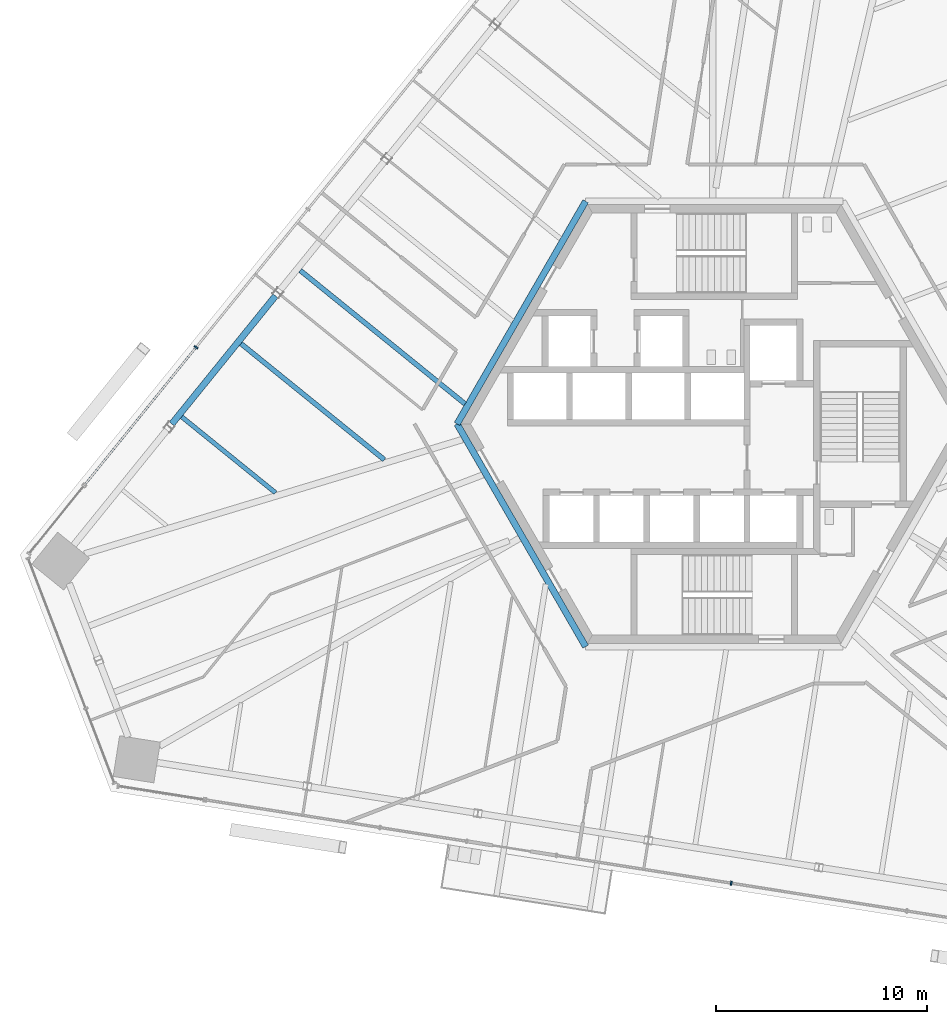
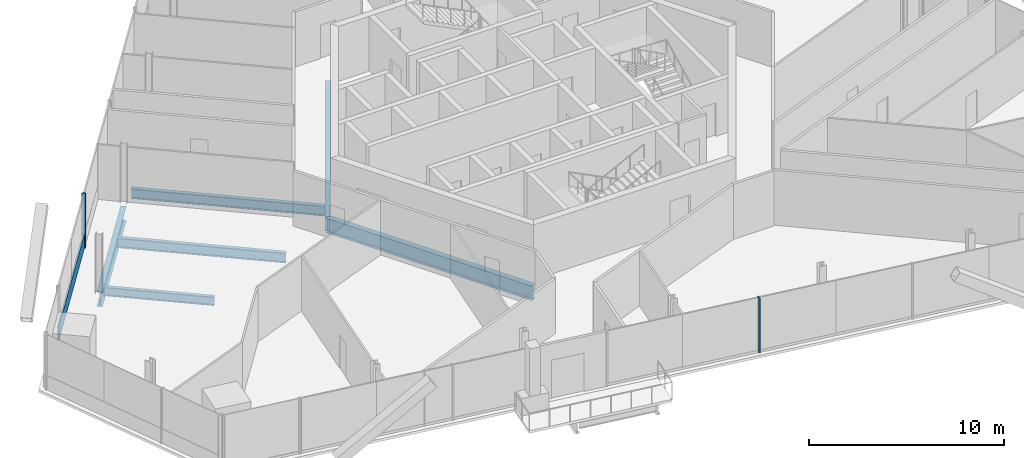
# One storey, part 5 of 19: 6 beams, 3 members, 2 elements without a shape of their own.
"""IFC4 building model written with IfcOpenShell, lengths in metres."""

import ifcopenshell
import ifcopenshell.guid

model = None  # the IFC model being written
_history = None  # IfcOwnerHistory: only IFC2X3 demands one
_inside = {}  # id of a spatial element -> (the spatial element, [elements in it])
_under = {}  # id of a project, library or spatial element -> (it, [spatial elements below it])
_declared = {}  # id of a project -> (the project, [libraries it declares])
_typed = {}  # id of a type object -> (the type object, [elements of that type])
_made_of = {}  # id of a material, layer set ... -> (it, [elements and type objects made of it])


def new_model(schema):
    """Start an empty IFC model of exactly this schema.

    Asked for "IFC4X3", IfcOpenShell would pick the latest addendum, in which some entities
    have other attributes; the version numbers below select the first issue.
    IFC2X3 requires an IfcOwnerHistory on every rooted entity: one is made here for all.
    """
    global model, _history
    if schema == "IFC4X3":
        model = ifcopenshell.file(schema_version=(4, 3, 0, 0))
    else:
        model = ifcopenshell.file(schema=schema)
    _inside.clear()
    _under.clear()
    _declared.clear()
    _typed.clear()
    _made_of.clear()
    _history = None
    if model.schema == "IFC2X3":
        org = make("IfcOrganization", Name="unknown")
        user = make(
            "IfcPersonAndOrganization",
            ThePerson=make("IfcPerson", FamilyName="unknown"),
            TheOrganization=org,
        )
        app = make(
            "IfcApplication",
            ApplicationDeveloper=org,
            Version="unknown",
            ApplicationFullName="unknown",
            ApplicationIdentifier="unknown",
        )
        _history = make(
            "IfcOwnerHistory",
            OwningUser=user,
            OwningApplication=app,
            ChangeAction="ADDED",
            CreationDate=0,
        )
    return model


def make(cls, **values):
    """One entity of the class cls with the attributes given. An attribute that is None is left unset."""
    return model.create_entity(
        cls, **{name: value for name, value in values.items() if value is not None}
    )


def rooted(cls, **values):
    """An entity with a GlobalId (a new one), such as an element, a storey or a relation."""
    return make(cls, GlobalId=ifcopenshell.guid.new(), OwnerHistory=_history, **values)


def si_unit(unit_type, name, prefix=None):
    """IfcSIUnit, for example si_unit("LENGTHUNIT", "METRE", prefix="MILLI")."""
    return make("IfcSIUnit", UnitType=unit_type, Prefix=prefix, Name=name)


def assignment(units):
    """IfcUnitAssignment: the units of a project."""
    return None if units is None else make("IfcUnitAssignment", Units=units)


def point(xyz):
    """IfcCartesianPoint."""
    return None if xyz is None else make("IfcCartesianPoint", Coordinates=xyz)


def direction(xyz):
    """IfcDirection."""
    return None if xyz is None else make("IfcDirection", DirectionRatios=xyz)


def frame(location, z_axis=None, x_axis=None):
    """IfcAxis2Placement3D, a coordinate frame: its origin and axes. An axis left out is left unset."""
    return make(
        "IfcAxis2Placement3D",
        Location=point(location),
        Axis=direction(z_axis),
        RefDirection=direction(x_axis),
    )


def frame_2d(location, x_axis=None):
    """IfcAxis2Placement2D, a coordinate frame in the plane: its origin and x axis."""
    return make(
        "IfcAxis2Placement2D", Location=point(location), RefDirection=direction(x_axis)
    )


def origin():
    """The frame at (0, 0, 0) with its axes left unset."""
    return frame((0.0, 0.0, 0.0))


def origin_2d():
    """The frame at (0, 0) in the plane with its x axis left unset."""
    return frame_2d((0.0, 0.0))


def place(relative_to, where):
    """IfcLocalPlacement: puts the frame where relative to a parent placement (None: the world)."""
    return make(
        "IfcLocalPlacement", PlacementRelTo=relative_to, RelativePlacement=where
    )


def context(
    kind, dimensions, precision=None, world=None, true_north=None, identifier=None
):
    """IfcGeometricRepresentationContext, for example the 3D "Model" context."""
    return make(
        "IfcGeometricRepresentationContext",
        ContextIdentifier=identifier,
        ContextType=kind,
        CoordinateSpaceDimension=dimensions,
        Precision=precision,
        WorldCoordinateSystem=world,
        TrueNorth=true_north,
    )


def subcontext(parent, identifier, kind, view, scale=None):
    """IfcGeometricRepresentationSubContext, for example "Body" below "Model"."""
    return make(
        "IfcGeometricRepresentationSubContext",
        ContextIdentifier=identifier,
        ContextType=kind,
        ParentContext=parent,
        TargetScale=scale,
        TargetView=view,
    )


def project(units=None, contexts=None):
    """IfcProject with its units and contexts."""
    return rooted(
        "IfcProject",
        Name="project",
        RepresentationContexts=contexts,
        UnitsInContext=assignment(units),
    )


def spatial(cls, under=None, at=None, **own):
    """A site, building, storey or space (cls), placed at a placement, below another one or the project."""
    s = rooted(cls, ObjectPlacement=at, **own)
    if under is not None:
        _under.setdefault(under.id(), (under, []))[1].append(s)
    return s


def profile(cls, at=None, kind="AREA", **sizes):
    """A parametric profile (cls). Its sizes go by their IFC names, for example OverallWidth=200.0."""
    return make(cls, ProfileType=kind, Position=at, **sizes)


def rectangle(**sizes):
    """IfcRectangleProfileDef."""
    return profile("IfcRectangleProfileDef", **sizes)


def i_section(**sizes):
    """IfcIShapeProfileDef."""
    return profile("IfcIShapeProfileDef", **sizes)


def extrude(swept, where, along, depth):
    """IfcExtrudedAreaSolid: the profile swept, set in the frame where, extruded along a direction by depth."""
    return make(
        "IfcExtrudedAreaSolid",
        SweptArea=swept,
        Position=where,
        ExtrudedDirection=direction(along),
        Depth=depth,
    )


def shape(context_of_items, identifier, shape_type, items):
    """IfcShapeRepresentation: the items that make up one representation, for example the "Body"."""
    return make(
        "IfcShapeRepresentation",
        ContextOfItems=context_of_items,
        RepresentationIdentifier=identifier,
        RepresentationType=shape_type,
        Items=items,
    )


def source(mapping_origin, context_of_items, identifier, shape_type, items):
    """IfcRepresentationMap: a shape defined once, which mapped items show again and again."""
    return make(
        "IfcRepresentationMap",
        MappingOrigin=mapping_origin,
        MappedRepresentation=shape(context_of_items, identifier, shape_type, items),
    )


def transform(
    local_origin,
    x_axis=None,
    y_axis=None,
    z_axis=None,
    scale=None,
    scale2=None,
    scale3=None,
    uniform=True,
):
    """IfcCartesianTransformationOperator3D, or its non-uniform kind. x_axis, y_axis, z_axis: its Axis1, 2, 3."""
    if uniform:
        return make(
            "IfcCartesianTransformationOperator3D",
            Axis1=direction(x_axis),
            Axis2=direction(y_axis),
            LocalOrigin=point(local_origin),
            Scale=scale,
            Axis3=direction(z_axis),
        )
    return make(
        "IfcCartesianTransformationOperator3DnonUniform",
        Axis1=direction(x_axis),
        Axis2=direction(y_axis),
        LocalOrigin=point(local_origin),
        Scale=scale,
        Axis3=direction(z_axis),
        Scale2=scale2,
        Scale3=scale3,
    )


def mapped(mapping_source, mapping_target):
    """IfcMappedItem: shows the shape of a source again, moved by a transform."""
    return make(
        "IfcMappedItem", MappingSource=mapping_source, MappingTarget=mapping_target
    )


def material(Name=None, Category=None):
    """IfcMaterial."""
    return make("IfcMaterial", Name=Name, Category=Category)


def material_profile(
    of_material, cross_section, Name=None, Category=None, Priority=None
):
    """IfcMaterialProfile: a cross section and its material."""
    return make(
        "IfcMaterialProfile",
        Name=Name,
        Material=of_material,
        Profile=cross_section,
        Priority=Priority,
        Category=Category,
    )


def profile_set(profiles, Name=None, composite=None):
    """IfcMaterialProfileSet."""
    return make(
        "IfcMaterialProfileSet",
        Name=Name,
        MaterialProfiles=profiles,
        CompositeProfile=composite,
    )


def made_of(thing, what):
    """Note that an element or type object is made of a material, layer set ...; save() writes the relation."""
    if what is not None:
        _made_of.setdefault(what.id(), (what, []))[1].append(thing)
    return thing


def type_object(cls, material=None, **own):
    """A type object (cls), such as IfcWallType, which elements share."""
    return made_of(rooted(cls, **own), material)


def element(
    cls,
    number,
    at=None,
    inside=None,
    cuts=None,
    type_object=None,
    material=None,
    context=None,
    identifier="Body",
    shape_type=None,
    held_by="IfcProductDefinitionShape",
    body=None,
    shapes=None,
    **own,
):
    """One element of the class cls, such as IfcWall. Its Tag is "e" and its number.

    at: its placement. inside: the storey or other place that contains it. cuts: it is an
    opening in that element (IfcRelVoidsElement). A single representation is given by context,
    identifier, shape_type and body (its items); several are given by shapes. held_by: the class
    of the entity that holds the representations. save() writes the other relations.
    """
    e = rooted(cls, Tag="e%d" % number, ObjectPlacement=at, **own)
    if body is not None:
        shapes = [shape(context, identifier, shape_type, body)]
    if shapes is not None:
        e.Representation = make(held_by, Representations=shapes)
    if inside is not None:
        _inside.setdefault(inside.id(), (inside, []))[1].append(e)
    if cuts is not None:
        rooted(
            "IfcRelVoidsElement", RelatingBuildingElement=cuts, RelatedOpeningElement=e
        )
    if type_object is not None:
        _typed.setdefault(type_object.id(), (type_object, []))[1].append(e)
    return made_of(e, material)


def aggregate(whole, parts):
    """IfcRelAggregates: a whole, such as a stair, and the parts it consists of."""
    return rooted("IfcRelAggregates", RelatingObject=whole, RelatedObjects=parts)


def save(model, path):
    """Write the relations noted so far, then the file.

    IfcRelAggregates (storeys below a building ...), IfcRelContainedInSpatialStructure (elements
    in a storey), IfcRelDefinesByType, IfcRelAssociatesMaterial and IfcRelDeclares: one each for
    every whole, place, type object, material and project.
    """
    for whole, parts in _under.values():
        aggregate(whole, parts)
    for where, things in _inside.values():
        rooted(
            "IfcRelContainedInSpatialStructure",
            RelatedElements=things,
            RelatingStructure=where,
        )
    for kind, things in _typed.values():
        rooted("IfcRelDefinesByType", RelatedObjects=things, RelatingType=kind)
    for what, things in _made_of.values():
        rooted("IfcRelAssociatesMaterial", RelatedObjects=things, RelatingMaterial=what)
    for by, libraries in _declared.values():
        rooted("IfcRelDeclares", RelatingContext=by, RelatedDefinitions=libraries)
    model.write(path)


model = new_model("IFC4")

# Units and contexts
model_context = context("Model", 3, precision=1e-05, world=origin(), true_north=direction((0.0, 1.0)))
body_context = subcontext(model_context, "Body", "Model", "MODEL_VIEW")
ifc_project = project(units=[si_unit("LENGTHUNIT", "METRE"), si_unit("AREAUNIT", "SQUARE_METRE"), si_unit("VOLUMEUNIT", "CUBIC_METRE"), si_unit("PLANEANGLEUNIT", "RADIAN"), si_unit("MASSUNIT", "GRAM", prefix="KILO")], contexts=[model_context])

# Site, building, storey
site_placement = place(None, origin())
site = spatial("IfcSite", under=ifc_project, at=site_placement, CompositionType="ELEMENT")
building_placement = place(site_placement, origin())
building = spatial("IfcBuilding", under=site, at=building_placement, Name="Triune Harvest Tower", CompositionType="ELEMENT")
storey_placement = place(building_placement, frame((0.0, 0.0, 142.5)))
storey = spatial("IfcBuildingStorey", under=building, at=storey_placement, Name="L36", CompositionType="ELEMENT", Elevation=142.5)

# Beams
ifc_material_1 = material(Name="Steel ASTM A992 Gr 50", Category="steel")
ifc_material_profile_1 = material_profile(ifc_material_1, i_section(OverallWidth=0.3046875, OverallDepth=0.914306640625, WebThickness=0.0166015625, FlangeThickness=0.02587890625, at=origin_2d()), Name="W36x160")
ifc_profile_set_1 = profile_set([ifc_material_profile_1], Name="Steel ASTM A992 Gr 50")
beam_type_1 = type_object("IfcBeamType", Name="CG-1 Core ring girder W36x160", PredefinedType="BEAM", material=ifc_profile_set_1)
shared_shape_1 = source(origin(), body_context, "Body", "SweptSolid", [
    extrude(i_section(OverallWidth=0.3046875, OverallDepth=0.914306640625, WebThickness=0.0166015625, FlangeThickness=0.02587890625, at=origin_2d()), origin(), (0.0, 0.0, 1.0), 12.176025390625),
])
for number, where, z_axis, x_axis, name in (
    (1, (-6.087890625, 10.544677734375, -0.6171875), (-0.5000099932, -0.866019634131, 0.0), (0.866019634131, -0.5000099932, 0.0), "beam/L36/CG3"),
    (2, (-12.176025390625, 0.0, -0.6171875), (0.5000099932, -0.866019634131, 0.0), (0.866019634131, 0.5000099932, 0.0), "beam/L36/CG4"),
):
    element("IfcBeam", number, at=place(storey_placement, frame(where, z_axis=z_axis, x_axis=x_axis)), inside=storey, type_object=beam_type_1, Name=name, PredefinedType="BEAM", context=body_context, shape_type="MappedRepresentation", body=[
        mapped(shared_shape_1, transform((0.0, 0.0, 0.0), scale=1.0)),
    ])
ifc_material_2 = material(Name="Steel ASTM A992 Gr 50", Category="steel")
ifc_material_profile_2 = material_profile(ifc_material_2, i_section(OverallWidth=0.3046875, OverallDepth=0.914306640625, WebThickness=0.0166015625, FlangeThickness=0.02587890625, at=origin_2d()), Name="W36x160")
ifc_profile_set_2 = profile_set([ifc_material_profile_2], Name="Steel ASTM A992 Gr 50")
beam_type_2 = type_object("IfcBeamType", Name="SB-1 Spandrel beam W36x160", PredefinedType="SPANDREL", material=ifc_profile_set_2)
shared_shape_2 = source(origin(), body_context, "Body", "SweptSolid", [
    extrude(i_section(OverallWidth=0.3046875, OverallDepth=0.914306640625, WebThickness=0.0166015625, FlangeThickness=0.02587890625, at=origin_2d()), origin(), (0.0, 0.0, 1.0), 7.8017578125),
])
beam_1_placement = place(storey_placement, frame((-20.775390625, 6.064208984375, -0.6171875), z_axis=(-0.629335951387, -0.777133360686, 0.0), x_axis=(0.777133360686, -0.629335951387, 0.0)))
element("IfcBeam", 3, at=beam_1_placement, inside=storey, type_object=beam_type_2, Name="beam/L36/SB13", PredefinedType="SPANDREL", context=body_context, shape_type="MappedRepresentation", body=[
    mapped(shared_shape_2, transform((0.0, 0.0, 0.0), scale=1.0)),
])
ifc_material_3 = material(Name="Steel ASTM A992 Gr 50", Category="steel")
ifc_material_profile_3 = material_profile(ifc_material_3, i_section(OverallWidth=0.22900390625, OverallDepth=0.612060546875, WebThickness=0.011962890625, FlangeThickness=0.01953125, at=origin_2d()), Name="W24x84")
ifc_profile_set_3 = profile_set([ifc_material_profile_3], Name="Steel ASTM A992 Gr 50")
beam_type_3 = type_object("IfcBeamType", Name="JT-3 Floor joist W24x84", PredefinedType="JOIST", material=ifc_profile_set_3)
shared_shape_3 = source(origin(), body_context, "Body", "SweptSolid", [
    extrude(i_section(OverallWidth=0.22900390625, OverallDepth=0.612060546875, WebThickness=0.011962890625, FlangeThickness=0.01953125, at=origin_2d()), origin(), (0.0, 0.0, 1.0), 8.738037109375),
])
beam_2_placement = place(storey_placement, frame((-22.410400390625, 3.802978515625, -0.466064453125), z_axis=(0.777147913906, -0.629317979968, 0.0), x_axis=(0.629317979968, 0.777147913906, 0.0)))
element("IfcBeam", 4, at=beam_2_placement, inside=storey, type_object=beam_type_3, Name="beam/L36/JT20", PredefinedType="JOIST", context=body_context, shape_type="MappedRepresentation", body=[
    mapped(shared_shape_3, transform((0.0, 0.0, 0.0), scale=1.0)),
])
shared_shape_4 = source(origin(), body_context, "Body", "SweptSolid", [
    extrude(i_section(OverallWidth=0.22900390625, OverallDepth=0.612060546875, WebThickness=0.011962890625, FlangeThickness=0.01953125, at=origin_2d()), origin(), (0.0, 0.0, 1.0), 10.0380859375),
])
beam_3_placement = place(storey_placement, frame((-19.60400390625, 7.268310546875, -0.466064453125), z_axis=(0.777146308943, -0.629319961941, 0.0), x_axis=(0.629319961941, 0.777146308943, 0.0)))
element("IfcBeam", 5, at=beam_3_placement, inside=storey, type_object=beam_type_3, Name="beam/L36/JT19", PredefinedType="JOIST", context=body_context, shape_type="MappedRepresentation", body=[
    mapped(shared_shape_4, transform((0.0, 0.0, 0.0), scale=1.0)),
])
ifc_material_4 = material(Name="Steel ASTM A992 Gr 50", Category="steel")
ifc_material_profile_4 = material_profile(ifc_material_4, i_section(OverallWidth=0.2099609375, OverallDepth=0.535888671875, WebThickness=0.010986328125, FlangeThickness=0.017333984375, at=origin_2d()), Name="W21x68")
ifc_profile_set_4 = profile_set([ifc_material_profile_4], Name="Steel ASTM A992 Gr 50")
beam_type_4 = type_object("IfcBeamType", Name="JT-2 Floor joist W21x68", PredefinedType="JOIST", material=ifc_profile_set_4)
shared_shape_5 = source(origin(), body_context, "Body", "SweptSolid", [
    extrude(i_section(OverallWidth=0.2099609375, OverallDepth=0.535888671875, WebThickness=0.010986328125, FlangeThickness=0.017333984375, at=origin_2d()), origin(), (0.0, 0.0, 1.0), 5.71240234375),
])
beam_4_placement = place(storey_placement, frame((-25.216552734375, 0.337646484375, -0.427978515625), z_axis=(0.777148320449, -0.629317477926, 0.0), x_axis=(0.629317477926, 0.777148320449, 0.0)))
element("IfcBeam", 6, at=beam_4_placement, inside=storey, type_object=beam_type_4, Name="beam/L36/JT21", PredefinedType="JOIST", context=body_context, shape_type="MappedRepresentation", body=[
    mapped(shared_shape_5, transform((0.0, 0.0, 0.0), scale=1.0)),
])

# Curtain wall, member
ifc_material_5 = material(Name="Aluminium bronze anodised", Category="aluminium")
curtain_wall_type_1 = type_object("IfcCurtainWallType", Name="CW-7 Tower stick curtain wall with insulated spandrel infill", PredefinedType="NOTDEFINED", material=ifc_material_5)
curtain_wall_1_placement = place(storey_placement, origin())
curtain_wall_1 = element("IfcCurtainWall", 7, at=curtain_wall_1_placement, inside=storey, type_object=curtain_wall_type_1, Name="CW-7 B4-F3 L36 run 1001")
ifc_material_6 = material(Name="Aluminium bronze anodised", Category="aluminium")
ifc_material_profile_5 = material_profile(ifc_material_6, rectangle(XDim=0.199951171875, YDim=0.074951171875, at=origin_2d()), Name="MU-1 mullion 75 x 200")
ifc_profile_set_5 = profile_set([ifc_material_profile_5], Name="Aluminium bronze anodised")
member_type_1 = type_object("IfcMemberType", Name="MU-1 mullion 75 x 200", PredefinedType="MULLION", material=ifc_profile_set_5)
shared_shape_6 = source(origin(), body_context, "Body", "SweptSolid", [
    extrude(rectangle(XDim=0.199951171875, YDim=0.074951171875, at=origin_2d()), origin(), (0.0, 0.0, 1.0), 3.43994140625),
])
member_1_placement = place(storey_placement, frame((-24.53369140625, 3.630126953125, 0.0), z_axis=(0.0, 0.0, 1.0), x_axis=(0.77714431638, -0.629322422546, 0.0)))
member_1 = element("IfcMember", 8, at=member_1_placement, type_object=member_type_1, Name="CW-7 mullion B4-F3 1001.9", PredefinedType="MULLION", context=body_context, shape_type="MappedRepresentation", body=[
    mapped(shared_shape_6, transform((0.0, 0.0, 0.0), scale=1.0)),
])

ifc_material_7 = material(Name="Aluminium bronze anodised", Category="aluminium")
curtain_wall_type_2 = type_object("IfcCurtainWallType", Name="CW-10 Balcony window wall with insulated spandrel infill", PredefinedType="NOTDEFINED", material=ifc_material_7)
curtain_wall_2_placement = place(storey_placement, origin())
curtain_wall_2 = element("IfcCurtainWall", 9, at=curtain_wall_2_placement, inside=storey, type_object=curtain_wall_type_2, Name="CW-10 B4-F5 L36 run 2")
ifc_material_8 = material(Name="Aluminium bronze anodised", Category="aluminium")
ifc_material_profile_6 = material_profile(ifc_material_8, rectangle(XDim=0.199951171875, YDim=0.074951171875, at=origin_2d()), Name="MU-6 mullion 75 x 200")
ifc_profile_set_6 = profile_set([ifc_material_profile_6], Name="Aluminium bronze anodised")
member_type_2 = type_object("IfcMemberType", Name="MU-6 mullion 75 x 200", PredefinedType="MULLION", material=ifc_profile_set_6)
shared_shape_7 = source(origin(), body_context, "Body", "SweptSolid", [
    extrude(rectangle(XDim=0.199951171875, YDim=0.074951171875, at=origin_2d()), origin(), (0.0, 0.0, 1.0), 3.43994140625),
])
member_2_placement = place(storey_placement, frame((0.8037109375, -21.744140625, 0.0), z_axis=(0.0, 0.0, 1.0), x_axis=(0.15643526604, 0.987688213729, 0.0)))
member_2 = element("IfcMember", 10, at=member_2_placement, type_object=member_type_2, Name="CW-10 mullion B4-F5 2.3", PredefinedType="MULLION", context=body_context, shape_type="MappedRepresentation", body=[
    mapped(shared_shape_7, transform((0.0, 0.0, 0.0), scale=1.0)),
])
aggregate(curtain_wall_2, [member_2])

# Member
ifc_material_9 = material(Name="Aluminium bronze anodised", Category="aluminium")
ifc_material_profile_7 = material_profile(ifc_material_9, rectangle(XDim=0.090087890625, YDim=0.89990234375, at=origin_2d()), Name="TR-1 transom 90 x 900")
ifc_profile_set_7 = profile_set([ifc_material_profile_7], Name="Aluminium bronze anodised")
member_type_3 = type_object("IfcMemberType", Name="TR-1 transom 90 x 900", PredefinedType="USERDEFINED", material=ifc_profile_set_7)
shared_shape_8 = source(origin(), body_context, "Body", "SweptSolid", [
    extrude(rectangle(XDim=0.090087890625, YDim=0.89990234375, at=origin_2d()), origin(), (0.0, 0.0, 1.0), 8.299560546875),
])
member_3_placement = place(storey_placement, frame((-24.557373046875, 3.600830078125, 0.449951171875), z_axis=(-0.629325998453, -0.777141420638, 0.0), x_axis=(0.777141420638, -0.629325998453, 0.0)))
member_3 = element("IfcMember", 11, at=member_3_placement, type_object=member_type_3, Name="CW-7 transom B4-F3 1001.5", ObjectType="TRANSOM", PredefinedType="USERDEFINED", context=body_context, shape_type="MappedRepresentation", body=[
    mapped(shared_shape_8, transform((0.0, 0.0, 0.0), scale=1.0)),
])

aggregate(curtain_wall_1, [member_1, member_3])

save(model, "model.ifc")
